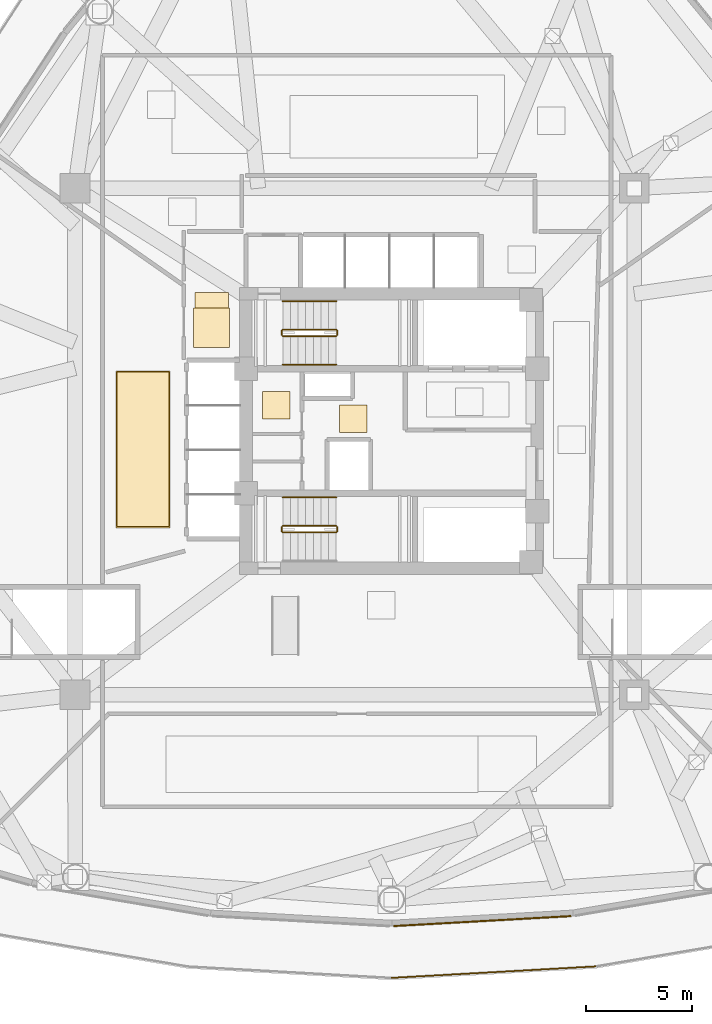
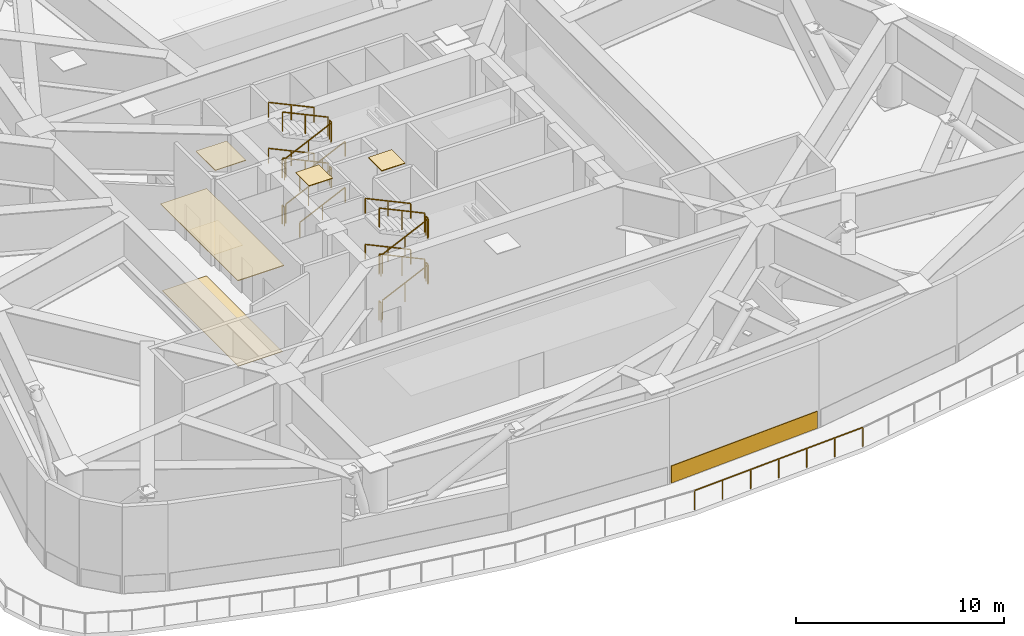
# One storey, part 7 of 9: 23 railings, 7 coverings.
"""IFC4 building model written with IfcOpenShell, lengths in metres."""

from ifc_helpers import new_model, si_unit, direction, frame, origin, origin_2d, place, context, subcontext, project, spatial, polyline, rectangle, outline, extrude, material, layer, layer_set, type_object, element, save


model = new_model("IFC4")

# Units and contexts
model_context = context("Model", 3, precision=1e-05, world=origin(), true_north=direction((0.0, 1.0)))
body_context = subcontext(model_context, "Body", "Model", "MODEL_VIEW")
ifc_project = project(units=[si_unit("LENGTHUNIT", "METRE"), si_unit("AREAUNIT", "SQUARE_METRE"), si_unit("VOLUMEUNIT", "CUBIC_METRE"), si_unit("PLANEANGLEUNIT", "RADIAN"), si_unit("MASSUNIT", "GRAM", prefix="KILO")], contexts=[model_context])

# Site, building, storey
site_placement = place(None, origin())
site = spatial("IfcSite", under=ifc_project, at=site_placement, CompositionType="ELEMENT")
building_placement = place(site_placement, origin())
building = spatial("IfcBuilding", under=site, at=building_placement, Name="Tavelor Broadcast Tower", CompositionType="ELEMENT")
storey_placement = place(building_placement, frame((0.0, 0.0, 22.199951171875)))
storey = spatial("IfcBuildingStorey", under=building, at=storey_placement, Name="L04", CompositionType="ELEMENT", Elevation=22.199951171875)

# Covering
ifc_material_1 = material(Name="Copper-Bronze Anodized Aluminium", Category="aluminium")
ifc_layer_1 = layer(ifc_material_1, 0.044921875)
ifc_layer_set_1 = layer_set([ifc_layer_1], Name="Copper-Bronze Anodized Aluminium")
covering_type_1 = type_object("IfcCoveringType", Name="Anodised Bronze Linear Slatted Concourse Ceiling 45 mm", PredefinedType="CEILING", material=ifc_layer_set_1)
covering_1_placement = place(storey_placement, frame((0.0, 0.0, 5.054931640625)))
element("IfcCovering", 1, at=covering_1_placement, inside=storey, type_object=covering_type_1, Name="L04 Suspended Acoustic Ceiling 0103", PredefinedType="CEILING", context=body_context, shape_type="SweptSolid", body=[
    extrude(outline(polyline([(47.5400390625, 44.919921875), (48.840087890625, 44.919921875), (48.840087890625, 46.219970703125), (47.5400390625, 46.219970703125), (47.5400390625, 44.919921875)])), origin(), (0.0, 0.0, 1.0), 0.045166015625),
])

# Railings
ifc_material_2 = material(Name="Steel S355", Category="steel")
railing_type_1 = type_object("IfcRailingType", Name="Continuous Brushed Stainless Handrail 900 mm", PredefinedType="HANDRAIL", material=ifc_material_2)
railing_1_placement = place(storey_placement, frame((44.85009765625, 48.14990234375, 0.168701171875)))
element("IfcRailing", 2, at=railing_1_placement, inside=storey, type_object=railing_type_1, Name="L04 ST1 stair handrail 1", PredefinedType="HANDRAIL", context=body_context, shape_type="SweptSolid", body=[
    extrude(rectangle(XDim=0.048095703125, YDim=0.048095703125, at=origin_2d()), frame((0.0, 0.0, 0.8759765625), z_axis=(0.905439972488, 0.0, 0.424474329284), x_axis=(0.0, 1.0, 0.0)), (0.0, 0.0, 1.0), 2.783203125),
    extrude(rectangle(XDim=0.0419921875, YDim=0.0419921875, at=origin_2d()), origin(), (0.0, 0.0, 1.0), 0.851806640625),
    extrude(rectangle(XDim=0.0419921875, YDim=0.0419921875, at=origin_2d()), frame((1.260009765625, 0.0, 0.5908203125)), (0.0, 0.0, 1.0), 0.851806640625),
    extrude(rectangle(XDim=0.0419921875, YDim=0.0419921875, at=origin_2d()), frame((2.52001953125, 0.0, 1.181396484375)), (0.0, 0.0, 1.0), 0.851806640625),
])
railing_2_placement = place(storey_placement, frame((47.3701171875, 51.14990234375, 1.518798828125)))
element("IfcRailing", 3, at=railing_2_placement, inside=storey, type_object=railing_type_1, Name="L04 ST1 stair handrail 2", PredefinedType="HANDRAIL", context=body_context, shape_type="SweptSolid", body=[
    extrude(rectangle(XDim=0.048095703125, YDim=0.048095703125, at=origin_2d()), frame((0.0, 0.0, 0.8759765625), z_axis=(-0.905473684625, 0.0, 0.424402410988), x_axis=(0.0, -1.0, 0.0)), (0.0, 0.0, 1.0), 2.783203125),
    extrude(rectangle(XDim=0.0419921875, YDim=0.0419921875, at=origin_2d()), origin(), (0.0, 0.0, 1.0), 0.851806640625),
    extrude(rectangle(XDim=0.0419921875, YDim=0.0419921875, at=origin_2d()), frame((-1.260009765625, 0.0, 0.590576171875)), (0.0, 0.0, 1.0), 0.851806640625),
    extrude(rectangle(XDim=0.0419921875, YDim=0.0419921875, at=origin_2d()), frame((-2.52001953125, 0.0, 1.18115234375)), (0.0, 0.0, 1.0), 0.851806640625),
])
railing_3_placement = place(storey_placement, frame((44.85009765625, 48.14990234375, 2.868896484375)))
element("IfcRailing", 4, at=railing_3_placement, inside=storey, type_object=railing_type_1, Name="L04 ST1 stair handrail 3", PredefinedType="HANDRAIL", context=body_context, shape_type="SweptSolid", body=[
    extrude(rectangle(XDim=0.048095703125, YDim=0.048095703125, at=origin_2d()), frame((0.0, 0.0, 0.8759765625), z_axis=(0.905473684625, 0.0, 0.424402410988), x_axis=(0.0, 1.0, 0.0)), (0.0, 0.0, 1.0), 2.783203125),
    extrude(rectangle(XDim=0.0419921875, YDim=0.0419921875, at=origin_2d()), origin(), (0.0, 0.0, 1.0), 0.851806640625),
    extrude(rectangle(XDim=0.0419921875, YDim=0.0419921875, at=origin_2d()), frame((1.260009765625, 0.0, 0.590576171875)), (0.0, 0.0, 1.0), 0.851806640625),
    extrude(rectangle(XDim=0.0419921875, YDim=0.0419921875, at=origin_2d()), frame((2.52001953125, 0.0, 1.18115234375)), (0.0, 0.0, 1.0), 0.851806640625),
])
railing_4_placement = place(storey_placement, frame((47.3701171875, 51.14990234375, 4.21875)))
element("IfcRailing", 5, at=railing_4_placement, inside=storey, type_object=railing_type_1, Name="L04 ST1 stair handrail 4", PredefinedType="HANDRAIL", context=body_context, shape_type="SweptSolid", body=[
    extrude(rectangle(XDim=0.048095703125, YDim=0.048095703125, at=origin_2d()), frame((0.0, 0.0, 0.8759765625), z_axis=(-0.905439972488, 0.0, 0.424474329284), x_axis=(0.0, -1.0, 0.0)), (0.0, 0.0, 1.0), 2.783203125),
    extrude(rectangle(XDim=0.0419921875, YDim=0.0419921875, at=origin_2d()), origin(), (0.0, 0.0, 1.0), 0.851806640625),
    extrude(rectangle(XDim=0.0419921875, YDim=0.0419921875, at=origin_2d()), frame((-1.260009765625, 0.0, 0.5908203125)), (0.0, 0.0, 1.0), 0.851806640625),
    extrude(rectangle(XDim=0.0419921875, YDim=0.0419921875, at=origin_2d()), frame((-2.52001953125, 0.0, 1.181396484375)), (0.0, 0.0, 1.0), 0.851806640625),
])
railing_5_placement = place(storey_placement, frame((47.3701171875, 41.85009765625, 1.518798828125)))
element("IfcRailing", 6, at=railing_5_placement, inside=storey, type_object=railing_type_1, Name="L04 ST2 stair handrail 2", PredefinedType="HANDRAIL", context=body_context, shape_type="SweptSolid", body=[
    extrude(rectangle(XDim=0.048095703125, YDim=0.048095703125, at=origin_2d()), frame((0.0, 0.0, 0.8759765625), z_axis=(-0.905473684625, 0.0, 0.424402410988), x_axis=(0.0, -1.0, 0.0)), (0.0, 0.0, 1.0), 2.783203125),
    extrude(rectangle(XDim=0.0419921875, YDim=0.0419921875, at=origin_2d()), origin(), (0.0, 0.0, 1.0), 0.851806640625),
    extrude(rectangle(XDim=0.0419921875, YDim=0.0419921875, at=origin_2d()), frame((-1.260009765625, 0.0, 0.590576171875)), (0.0, 0.0, 1.0), 0.851806640625),
    extrude(rectangle(XDim=0.0419921875, YDim=0.0419921875, at=origin_2d()), frame((-2.52001953125, 0.0, 1.18115234375)), (0.0, 0.0, 1.0), 0.851806640625),
])
railing_6_placement = place(storey_placement, frame((47.3701171875, 41.85009765625, 4.21875)))
element("IfcRailing", 7, at=railing_6_placement, inside=storey, type_object=railing_type_1, Name="L04 ST2 stair handrail 4", PredefinedType="HANDRAIL", context=body_context, shape_type="SweptSolid", body=[
    extrude(rectangle(XDim=0.048095703125, YDim=0.048095703125, at=origin_2d()), frame((0.0, 0.0, 0.8759765625), z_axis=(-0.905439972488, 0.0, 0.424474329284), x_axis=(0.0, -1.0, 0.0)), (0.0, 0.0, 1.0), 2.783203125),
    extrude(rectangle(XDim=0.0419921875, YDim=0.0419921875, at=origin_2d()), origin(), (0.0, 0.0, 1.0), 0.851806640625),
    extrude(rectangle(XDim=0.0419921875, YDim=0.0419921875, at=origin_2d()), frame((-1.260009765625, 0.0, 0.5908203125)), (0.0, 0.0, 1.0), 0.851806640625),
    extrude(rectangle(XDim=0.0419921875, YDim=0.0419921875, at=origin_2d()), frame((-2.52001953125, 0.0, 1.181396484375)), (0.0, 0.0, 1.0), 0.851806640625),
])

# Coverings
ifc_material_3 = material(Name="Architectural Anodized Aluminium", Category="aluminium")
ifc_layer_2 = layer(ifc_material_3, 0.034912109375)
ifc_layer_set_2 = layer_set([ifc_layer_2], Name="Architectural Anodized Aluminium")
covering_type_2 = type_object("IfcCoveringType", Name="Demountable Metal Tile Corridor Ceiling 35 mm", PredefinedType="CEILING", material=ifc_layer_set_2)
covering_2_placement = place(storey_placement, frame((0.0, 0.0, 5.06494140625)))
element("IfcCovering", 8, at=covering_2_placement, inside=storey, type_object=covering_type_2, Name="L04 Suspended Acoustic Ceiling 0105", PredefinedType="CEILING", context=body_context, shape_type="SweptSolid", body=[
    extrude(outline(polyline([(40.623291015625, 48.954833984375), (42.326904296875, 48.954833984375), (42.326904296875, 50.820556640625), (40.623291015625, 50.820556640625), (40.623291015625, 48.954833984375)])), origin(), (0.0, 0.0, 1.0), 0.03515625),
])
ifc_material_4 = material(Name="Acoustic Nylon Carpet Tile")
ifc_layer_3 = layer(ifc_material_4, 0.02001953125)
ifc_layer_set_3 = layer_set([ifc_layer_3], Name="Acoustic Nylon Carpet Tile")
covering_type_3 = type_object("IfcCoveringType", Name="Heavy-Duty Acoustic Broadcast Carpet Tile 20 mm", PredefinedType="FLOORING", material=ifc_layer_set_3)
covering_3_placement = place(storey_placement, origin())
element("IfcCovering", 9, at=covering_3_placement, inside=storey, type_object=covering_type_3, Name="L04 Broadcast Floor Finish 0045", PredefinedType="FLOORING", context=body_context, shape_type="SweptSolid", body=[
    extrude(outline(polyline([(40.680908203125, 49.14111328125), (42.269287109375, 49.14111328125), (42.269287109375, 51.552978515625), (40.680908203125, 51.552978515625), (40.680908203125, 49.14111328125)])), origin(), (0.0, 0.0, 1.0), 0.02001953125),
])
covering_4_placement = place(storey_placement, origin())
element("IfcCovering", 10, at=covering_4_placement, inside=storey, type_object=covering_type_3, Name="L04 Broadcast Floor Finish 0049", PredefinedType="FLOORING", context=body_context, shape_type="SweptSolid", body=[
    extrude(outline(polyline([(36.998779296875, 40.4638671875), (39.451171875, 40.4638671875), (39.451171875, 47.7861328125), (36.998779296875, 47.7861328125), (36.998779296875, 40.4638671875)])), origin(), (0.0, 0.0, 1.0), 0.02001953125),
])

# Railing
railing_type_2 = type_object("IfcRailingType", Name="Planted Terrace Laminated Glass Balustrade 1150 mm", PredefinedType="BALUSTRADE", material=ifc_material_2)
railing_7_placement = place(storey_placement, frame((49.994384765625, 19.089599609375, 0.0)))
element("IfcRailing", 11, at=railing_7_placement, inside=storey, type_object=railing_type_2, Name="L04 Cascading Garden Terrace 1 Balustrade #111", PredefinedType="BALUSTRADE", context=body_context, shape_type="SweptSolid", body=[
    extrude(rectangle(XDim=0.048095703125, YDim=0.048095703125, at=origin_2d()), frame((0.0, 0.0, 1.1259765625), z_axis=(0.998425991549, 0.056085108535, 0.0), x_axis=(-0.056085108535, 0.998425991549, 0.0)), (0.0, 0.0, 1.0), 9.67236328125),
    extrude(rectangle(XDim=0.0419921875, YDim=0.0419921875, at=origin_2d()), origin(), (0.0, 0.0, 1.0), 1.101806640625),
    extrude(rectangle(XDim=0.0419921875, YDim=0.0419921875, at=origin_2d()), frame((1.609619140625, 0.09033203125, 0.0)), (0.0, 0.0, 1.0), 1.101806640625),
    extrude(rectangle(XDim=0.0419921875, YDim=0.0419921875, at=origin_2d()), frame((3.218994140625, 0.180908203125, 0.0)), (0.0, 0.0, 1.0), 1.101806640625),
    extrude(rectangle(XDim=0.0419921875, YDim=0.0419921875, at=origin_2d()), frame((4.82861328125, 0.271240234375, 0.0)), (0.0, 0.0, 1.0), 1.101806640625),
    extrude(rectangle(XDim=0.0419921875, YDim=0.0419921875, at=origin_2d()), frame((6.438232421875, 0.361572265625, 0.0)), (0.0, 0.0, 1.0), 1.101806640625),
    extrude(rectangle(XDim=0.0419921875, YDim=0.0419921875, at=origin_2d()), frame((8.047607421875, 0.4521484375, 0.0)), (0.0, 0.0, 1.0), 1.101806640625),
    extrude(rectangle(XDim=0.0419921875, YDim=0.0419921875, at=origin_2d()), frame((9.6572265625, 0.54248046875, 0.0)), (0.0, 0.0, 1.0), 1.101806640625),
])

# Covering
ifc_material_5 = material(Name="Kiln-Fired Glazed Terracotta", Category="masonry")
ifc_layer_4 = layer(ifc_material_5, 0.06494140625)
ifc_layer_set_4 = layer_set([ifc_layer_4], Name="Kiln-Fired Glazed Terracotta")
covering_type_4 = type_object("IfcCoveringType", Name="Ribbed Terracotta Rainscreen Spandrel Cladding 65 mm", PredefinedType="CLADDING", material=ifc_layer_set_4)
covering_5_placement = place(storey_placement, frame((54.299072265625, 21.782470703125, 0.050048828125), z_axis=(0.0, 0.0, 1.0), x_axis=(0.998421217973, 0.05617002316, 0.0)))
element("IfcCovering", 12, at=covering_5_placement, inside=storey, type_object=covering_type_4, Name="L04 Terracotta Spandrel Rainscreen 18", PredefinedType="CLADDING", context=body_context, shape_type="SweptSolid", body=[
    extrude(rectangle(XDim=8.411865234375, YDim=0.06494140625, at=origin_2d()), origin(), (0.0, 0.0, 1.0), 1.0),
])

# Railings
railing_type_3 = type_object("IfcRailingType", Name="Stairwell Steel Safety Guardrail 1150 mm", PredefinedType="GUARDRAIL", material=ifc_material_2)
railing_8_placement = place(storey_placement, frame((44.85009765625, 49.5, 0.168701171875)))
element("IfcRailing", 13, at=railing_8_placement, inside=storey, type_object=railing_type_3, Name="L04 ST1 stair guard 1", PredefinedType="GUARDRAIL", context=body_context, shape_type="SweptSolid", body=[
    extrude(rectangle(XDim=0.048095703125, YDim=0.048095703125, at=origin_2d()), frame((0.0, 0.0, 1.1259765625), z_axis=(0.905439972488, 0.0, 0.424474329284), x_axis=(0.0, 1.0, 0.0)), (0.0, 0.0, 1.0), 2.783203125),
    extrude(rectangle(XDim=0.0419921875, YDim=0.0419921875, at=origin_2d()), origin(), (0.0, 0.0, 1.0), 1.101806640625),
    extrude(rectangle(XDim=0.0419921875, YDim=0.0419921875, at=origin_2d()), frame((1.260009765625, 0.0, 0.5908203125)), (0.0, 0.0, 1.0), 1.101806640625),
    extrude(rectangle(XDim=0.0419921875, YDim=0.0419921875, at=origin_2d()), frame((2.52001953125, 0.0, 1.181396484375)), (0.0, 0.0, 1.0), 1.101806640625),
])
railing_9_placement = place(storey_placement, frame((47.419921875, 49.550048828125, 1.35009765625)))
element("IfcRailing", 14, at=railing_9_placement, inside=storey, type_object=railing_type_3, Name="L04 ST1 stair guard 2", PredefinedType="GUARDRAIL", context=body_context, shape_type="SweptSolid", body=[
    extrude(rectangle(XDim=0.048095703125, YDim=0.048095703125, at=origin_2d()), frame((0.0, 0.0, 1.1259765625), z_axis=(0.0, 1.0, 0.0), x_axis=(-1.0, 0.0, 0.0)), (0.0, 0.0, 1.0), 0.199951171875),
    extrude(rectangle(XDim=0.0419921875, YDim=0.0419921875, at=origin_2d()), origin(), (0.0, 0.0, 1.0), 1.101806640625),
    extrude(rectangle(XDim=0.0419921875, YDim=0.0419921875, at=origin_2d()), frame((0.0, 0.199951171875, 0.0)), (0.0, 0.0, 1.0), 1.101806640625),
])
railing_10_placement = place(storey_placement, frame((47.3701171875, 49.800048828125, 1.518798828125)))
element("IfcRailing", 15, at=railing_10_placement, inside=storey, type_object=railing_type_3, Name="L04 ST1 stair guard 3", PredefinedType="GUARDRAIL", context=body_context, shape_type="SweptSolid", body=[
    extrude(rectangle(XDim=0.048095703125, YDim=0.048095703125, at=origin_2d()), frame((0.0, 0.0, 1.1259765625), z_axis=(-0.905473684625, 0.0, 0.424402410988), x_axis=(0.0, -1.0, 0.0)), (0.0, 0.0, 1.0), 2.783203125),
    extrude(rectangle(XDim=0.0419921875, YDim=0.0419921875, at=origin_2d()), origin(), (0.0, 0.0, 1.0), 1.101806640625),
    extrude(rectangle(XDim=0.0419921875, YDim=0.0419921875, at=origin_2d()), frame((-1.260009765625, 0.0, 0.590576171875)), (0.0, 0.0, 1.0), 1.101806640625),
    extrude(rectangle(XDim=0.0419921875, YDim=0.0419921875, at=origin_2d()), frame((-2.52001953125, 0.0, 1.18115234375)), (0.0, 0.0, 1.0), 1.101806640625),
])
railing_11_placement = place(storey_placement, frame((44.800048828125, 49.550048828125, 2.699951171875)))
element("IfcRailing", 16, at=railing_11_placement, inside=storey, type_object=railing_type_3, Name="L04 ST1 stair guard 4", PredefinedType="GUARDRAIL", context=body_context, shape_type="SweptSolid", body=[
    extrude(rectangle(XDim=0.048095703125, YDim=0.048095703125, at=origin_2d()), frame((0.0, 0.0, 1.1259765625), z_axis=(0.0, 1.0, 0.0), x_axis=(-1.0, 0.0, 0.0)), (0.0, 0.0, 1.0), 0.199951171875),
    extrude(rectangle(XDim=0.0419921875, YDim=0.0419921875, at=origin_2d()), origin(), (0.0, 0.0, 1.0), 1.101806640625),
    extrude(rectangle(XDim=0.0419921875, YDim=0.0419921875, at=origin_2d()), frame((0.0, 0.199951171875, 0.0)), (0.0, 0.0, 1.0), 1.101806640625),
])
railing_12_placement = place(storey_placement, frame((44.85009765625, 49.5, 2.868896484375)))
element("IfcRailing", 17, at=railing_12_placement, inside=storey, type_object=railing_type_3, Name="L04 ST1 stair guard 5", PredefinedType="GUARDRAIL", context=body_context, shape_type="SweptSolid", body=[
    extrude(rectangle(XDim=0.048095703125, YDim=0.048095703125, at=origin_2d()), frame((0.0, 0.0, 1.1259765625), z_axis=(0.905473684625, 0.0, 0.424402410988), x_axis=(0.0, 1.0, 0.0)), (0.0, 0.0, 1.0), 2.783203125),
    extrude(rectangle(XDim=0.0419921875, YDim=0.0419921875, at=origin_2d()), origin(), (0.0, 0.0, 1.0), 1.101806640625),
    extrude(rectangle(XDim=0.0419921875, YDim=0.0419921875, at=origin_2d()), frame((1.260009765625, 0.0, 0.590576171875)), (0.0, 0.0, 1.0), 1.101806640625),
    extrude(rectangle(XDim=0.0419921875, YDim=0.0419921875, at=origin_2d()), frame((2.52001953125, 0.0, 1.18115234375)), (0.0, 0.0, 1.0), 1.101806640625),
])
railing_13_placement = place(storey_placement, frame((47.419921875, 49.550048828125, 4.050048828125)))
element("IfcRailing", 18, at=railing_13_placement, inside=storey, type_object=railing_type_3, Name="L04 ST1 stair guard 6", PredefinedType="GUARDRAIL", context=body_context, shape_type="SweptSolid", body=[
    extrude(rectangle(XDim=0.048095703125, YDim=0.048095703125, at=origin_2d()), frame((0.0, 0.0, 1.1259765625), z_axis=(0.0, 1.0, 0.0), x_axis=(-1.0, 0.0, 0.0)), (0.0, 0.0, 1.0), 0.199951171875),
    extrude(rectangle(XDim=0.0419921875, YDim=0.0419921875, at=origin_2d()), origin(), (0.0, 0.0, 1.0), 1.101806640625),
    extrude(rectangle(XDim=0.0419921875, YDim=0.0419921875, at=origin_2d()), frame((0.0, 0.199951171875, 0.0)), (0.0, 0.0, 1.0), 1.101806640625),
])
railing_14_placement = place(storey_placement, frame((47.3701171875, 49.800048828125, 4.21875)))
element("IfcRailing", 19, at=railing_14_placement, inside=storey, type_object=railing_type_3, Name="L04 ST1 stair guard 7", PredefinedType="GUARDRAIL", context=body_context, shape_type="SweptSolid", body=[
    extrude(rectangle(XDim=0.048095703125, YDim=0.048095703125, at=origin_2d()), frame((0.0, 0.0, 1.1259765625), z_axis=(-0.905439972488, 0.0, 0.424474329284), x_axis=(0.0, -1.0, 0.0)), (0.0, 0.0, 1.0), 2.783203125),
    extrude(rectangle(XDim=0.0419921875, YDim=0.0419921875, at=origin_2d()), origin(), (0.0, 0.0, 1.0), 1.101806640625),
    extrude(rectangle(XDim=0.0419921875, YDim=0.0419921875, at=origin_2d()), frame((-1.260009765625, 0.0, 0.5908203125)), (0.0, 0.0, 1.0), 1.101806640625),
    extrude(rectangle(XDim=0.0419921875, YDim=0.0419921875, at=origin_2d()), frame((-2.52001953125, 0.0, 1.181396484375)), (0.0, 0.0, 1.0), 1.101806640625),
])
railing_15_placement = place(storey_placement, frame((44.800048828125, 49.550048828125, 0.0)))
element("IfcRailing", 20, at=railing_15_placement, inside=storey, type_object=railing_type_3, Name="L04 ST1 stair guard 8", PredefinedType="GUARDRAIL", context=body_context, shape_type="SweptSolid", body=[
    extrude(rectangle(XDim=0.048095703125, YDim=0.048095703125, at=origin_2d()), frame((0.0, 0.0, 1.1259765625), z_axis=(0.0, 1.0, 0.0), x_axis=(-1.0, 0.0, 0.0)), (0.0, 0.0, 1.0), 0.199951171875),
    extrude(rectangle(XDim=0.0419921875, YDim=0.0419921875, at=origin_2d()), origin(), (0.0, 0.0, 1.0), 1.101806640625),
    extrude(rectangle(XDim=0.0419921875, YDim=0.0419921875, at=origin_2d()), frame((0.0, 0.199951171875, 0.0)), (0.0, 0.0, 1.0), 1.101806640625),
])
railing_16_placement = place(storey_placement, frame((44.85009765625, 40.199951171875, 0.168701171875)))
element("IfcRailing", 21, at=railing_16_placement, inside=storey, type_object=railing_type_3, Name="L04 ST2 stair guard 1", PredefinedType="GUARDRAIL", context=body_context, shape_type="SweptSolid", body=[
    extrude(rectangle(XDim=0.048095703125, YDim=0.048095703125, at=origin_2d()), frame((0.0, 0.0, 1.1259765625), z_axis=(0.905439972488, 0.0, 0.424474329284), x_axis=(0.0, 1.0, 0.0)), (0.0, 0.0, 1.0), 2.783203125),
    extrude(rectangle(XDim=0.0419921875, YDim=0.0419921875, at=origin_2d()), origin(), (0.0, 0.0, 1.0), 1.101806640625),
    extrude(rectangle(XDim=0.0419921875, YDim=0.0419921875, at=origin_2d()), frame((1.260009765625, 0.0, 0.5908203125)), (0.0, 0.0, 1.0), 1.101806640625),
    extrude(rectangle(XDim=0.0419921875, YDim=0.0419921875, at=origin_2d()), frame((2.52001953125, 0.0, 1.181396484375)), (0.0, 0.0, 1.0), 1.101806640625),
])
railing_17_placement = place(storey_placement, frame((47.419921875, 40.25, 1.35009765625)))
element("IfcRailing", 22, at=railing_17_placement, inside=storey, type_object=railing_type_3, Name="L04 ST2 stair guard 2", PredefinedType="GUARDRAIL", context=body_context, shape_type="SweptSolid", body=[
    extrude(rectangle(XDim=0.048095703125, YDim=0.048095703125, at=origin_2d()), frame((0.0, 0.0, 1.1259765625), z_axis=(0.0, 1.0, 0.0), x_axis=(-1.0, 0.0, 0.0)), (0.0, 0.0, 1.0), 0.199951171875),
    extrude(rectangle(XDim=0.0419921875, YDim=0.0419921875, at=origin_2d()), origin(), (0.0, 0.0, 1.0), 1.101806640625),
    extrude(rectangle(XDim=0.0419921875, YDim=0.0419921875, at=origin_2d()), frame((0.0, 0.199951171875, 0.0)), (0.0, 0.0, 1.0), 1.101806640625),
])
railing_18_placement = place(storey_placement, frame((47.3701171875, 40.5, 1.518798828125)))
element("IfcRailing", 23, at=railing_18_placement, inside=storey, type_object=railing_type_3, Name="L04 ST2 stair guard 3", PredefinedType="GUARDRAIL", context=body_context, shape_type="SweptSolid", body=[
    extrude(rectangle(XDim=0.048095703125, YDim=0.048095703125, at=origin_2d()), frame((0.0, 0.0, 1.1259765625), z_axis=(-0.905473684625, 0.0, 0.424402410988), x_axis=(0.0, -1.0, 0.0)), (0.0, 0.0, 1.0), 2.783203125),
    extrude(rectangle(XDim=0.0419921875, YDim=0.0419921875, at=origin_2d()), origin(), (0.0, 0.0, 1.0), 1.101806640625),
    extrude(rectangle(XDim=0.0419921875, YDim=0.0419921875, at=origin_2d()), frame((-1.260009765625, 0.0, 0.590576171875)), (0.0, 0.0, 1.0), 1.101806640625),
    extrude(rectangle(XDim=0.0419921875, YDim=0.0419921875, at=origin_2d()), frame((-2.52001953125, 0.0, 1.18115234375)), (0.0, 0.0, 1.0), 1.101806640625),
])
railing_19_placement = place(storey_placement, frame((44.800048828125, 40.25, 2.699951171875)))
element("IfcRailing", 24, at=railing_19_placement, inside=storey, type_object=railing_type_3, Name="L04 ST2 stair guard 4", PredefinedType="GUARDRAIL", context=body_context, shape_type="SweptSolid", body=[
    extrude(rectangle(XDim=0.048095703125, YDim=0.048095703125, at=origin_2d()), frame((0.0, 0.0, 1.1259765625), z_axis=(0.0, 1.0, 0.0), x_axis=(-1.0, 0.0, 0.0)), (0.0, 0.0, 1.0), 0.199951171875),
    extrude(rectangle(XDim=0.0419921875, YDim=0.0419921875, at=origin_2d()), origin(), (0.0, 0.0, 1.0), 1.101806640625),
    extrude(rectangle(XDim=0.0419921875, YDim=0.0419921875, at=origin_2d()), frame((0.0, 0.199951171875, 0.0)), (0.0, 0.0, 1.0), 1.101806640625),
])
railing_20_placement = place(storey_placement, frame((44.85009765625, 40.199951171875, 2.868896484375)))
element("IfcRailing", 25, at=railing_20_placement, inside=storey, type_object=railing_type_3, Name="L04 ST2 stair guard 5", PredefinedType="GUARDRAIL", context=body_context, shape_type="SweptSolid", body=[
    extrude(rectangle(XDim=0.048095703125, YDim=0.048095703125, at=origin_2d()), frame((0.0, 0.0, 1.1259765625), z_axis=(0.905473684625, 0.0, 0.424402410988), x_axis=(0.0, 1.0, 0.0)), (0.0, 0.0, 1.0), 2.783203125),
    extrude(rectangle(XDim=0.0419921875, YDim=0.0419921875, at=origin_2d()), origin(), (0.0, 0.0, 1.0), 1.101806640625),
    extrude(rectangle(XDim=0.0419921875, YDim=0.0419921875, at=origin_2d()), frame((1.260009765625, 0.0, 0.590576171875)), (0.0, 0.0, 1.0), 1.101806640625),
    extrude(rectangle(XDim=0.0419921875, YDim=0.0419921875, at=origin_2d()), frame((2.52001953125, 0.0, 1.18115234375)), (0.0, 0.0, 1.0), 1.101806640625),
])
railing_21_placement = place(storey_placement, frame((47.419921875, 40.25, 4.050048828125)))
element("IfcRailing", 26, at=railing_21_placement, inside=storey, type_object=railing_type_3, Name="L04 ST2 stair guard 6", PredefinedType="GUARDRAIL", context=body_context, shape_type="SweptSolid", body=[
    extrude(rectangle(XDim=0.048095703125, YDim=0.048095703125, at=origin_2d()), frame((0.0, 0.0, 1.1259765625), z_axis=(0.0, 1.0, 0.0), x_axis=(-1.0, 0.0, 0.0)), (0.0, 0.0, 1.0), 0.199951171875),
    extrude(rectangle(XDim=0.0419921875, YDim=0.0419921875, at=origin_2d()), origin(), (0.0, 0.0, 1.0), 1.101806640625),
    extrude(rectangle(XDim=0.0419921875, YDim=0.0419921875, at=origin_2d()), frame((0.0, 0.199951171875, 0.0)), (0.0, 0.0, 1.0), 1.101806640625),
])
railing_22_placement = place(storey_placement, frame((47.3701171875, 40.5, 4.21875)))
element("IfcRailing", 27, at=railing_22_placement, inside=storey, type_object=railing_type_3, Name="L04 ST2 stair guard 7", PredefinedType="GUARDRAIL", context=body_context, shape_type="SweptSolid", body=[
    extrude(rectangle(XDim=0.048095703125, YDim=0.048095703125, at=origin_2d()), frame((0.0, 0.0, 1.1259765625), z_axis=(-0.905439972488, 0.0, 0.424474329284), x_axis=(0.0, -1.0, 0.0)), (0.0, 0.0, 1.0), 2.783203125),
    extrude(rectangle(XDim=0.0419921875, YDim=0.0419921875, at=origin_2d()), origin(), (0.0, 0.0, 1.0), 1.101806640625),
    extrude(rectangle(XDim=0.0419921875, YDim=0.0419921875, at=origin_2d()), frame((-1.260009765625, 0.0, 0.5908203125)), (0.0, 0.0, 1.0), 1.101806640625),
    extrude(rectangle(XDim=0.0419921875, YDim=0.0419921875, at=origin_2d()), frame((-2.52001953125, 0.0, 1.181396484375)), (0.0, 0.0, 1.0), 1.101806640625),
])
railing_23_placement = place(storey_placement, frame((44.800048828125, 40.25, 0.0)))
element("IfcRailing", 28, at=railing_23_placement, inside=storey, type_object=railing_type_3, Name="L04 ST2 stair guard 8", PredefinedType="GUARDRAIL", context=body_context, shape_type="SweptSolid", body=[
    extrude(rectangle(XDim=0.048095703125, YDim=0.048095703125, at=origin_2d()), frame((0.0, 0.0, 1.1259765625), z_axis=(0.0, 1.0, 0.0), x_axis=(-1.0, 0.0, 0.0)), (0.0, 0.0, 1.0), 0.199951171875),
    extrude(rectangle(XDim=0.0419921875, YDim=0.0419921875, at=origin_2d()), origin(), (0.0, 0.0, 1.0), 1.101806640625),
    extrude(rectangle(XDim=0.0419921875, YDim=0.0419921875, at=origin_2d()), frame((0.0, 0.199951171875, 0.0)), (0.0, 0.0, 1.0), 1.101806640625),
])

# Coverings
ifc_material_6 = material(Name="Acoustic Mineral Fibre Tile")
ifc_layer_5 = layer(ifc_material_6, 0.0400390625)
ifc_layer_set_5 = layer_set([ifc_layer_5], Name="Acoustic Mineral Fibre Tile")
covering_type_5 = type_object("IfcCoveringType", Name="Suspended Acoustic Mineral-Fibre Office Ceiling 40 mm", PredefinedType="CEILING", material=ifc_layer_set_5)
covering_6_placement = place(storey_placement, frame((0.0, 0.0, 5.06005859375)))
element("IfcCovering", 29, at=covering_6_placement, inside=storey, type_object=covering_type_5, Name="L04 Suspended Acoustic Ceiling 0104", PredefinedType="CEILING", context=body_context, shape_type="SweptSolid", body=[
    extrude(outline(polyline([(43.8798828125, 45.573486328125), (45.179931640625, 45.573486328125), (45.179931640625, 46.87353515625), (43.8798828125, 46.87353515625), (43.8798828125, 45.573486328125)])), origin(), (0.0, 0.0, 1.0), 0.0400390625),
])
covering_7_placement = place(storey_placement, frame((0.0, 0.0, 5.06005859375)))
element("IfcCovering", 30, at=covering_7_placement, inside=storey, type_object=covering_type_5, Name="L04 Suspended Acoustic Ceiling 0114", PredefinedType="CEILING", context=body_context, shape_type="SweptSolid", body=[
    extrude(outline(polyline([(36.941162109375, 40.40625), (39.5087890625, 40.40625), (39.5087890625, 47.84375), (36.941162109375, 47.84375), (36.941162109375, 40.40625)])), origin(), (0.0, 0.0, 1.0), 0.0400390625),
])

save(model, "model.ifc")
